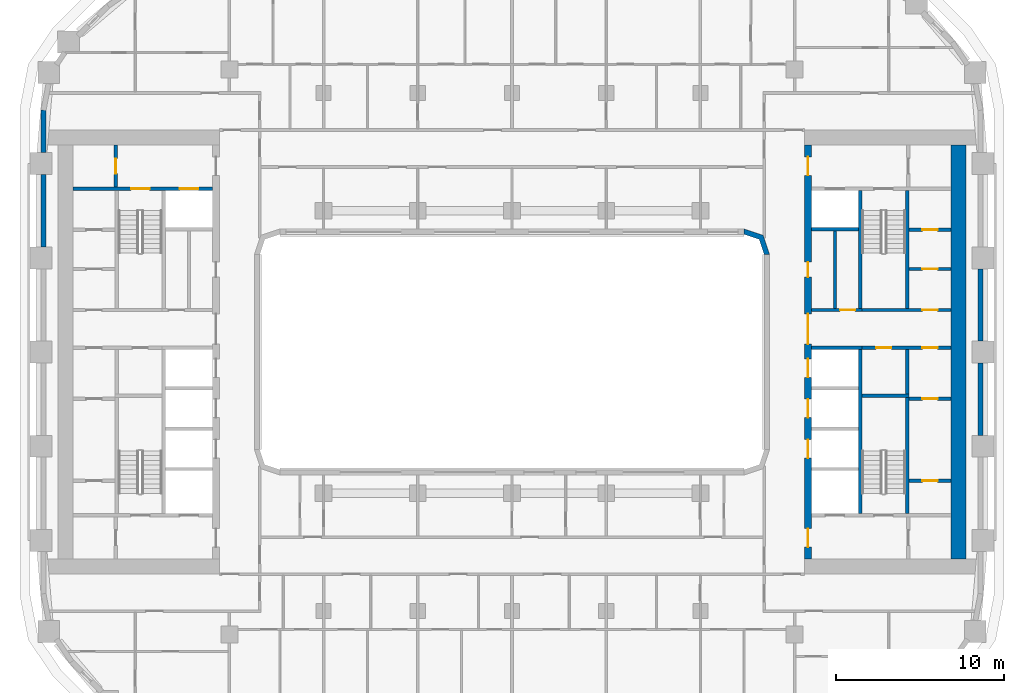
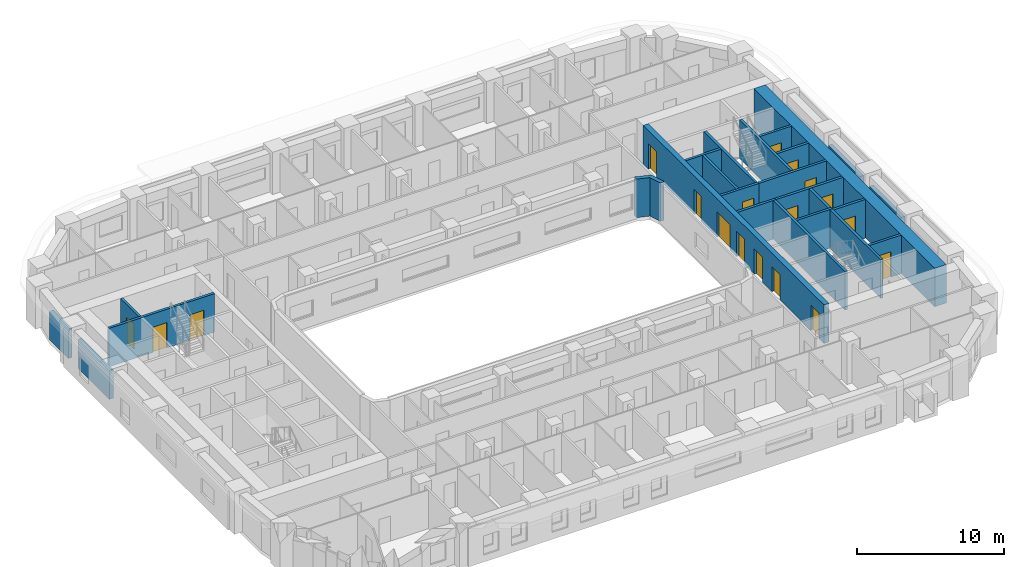
# One storey, part 7 of 23: 25 walls, 18 doors, 18 openings.
"""IFC4 building model written with IfcOpenShell, lengths in metres."""

from ifc_helpers import new_model, si_unit, direction, frame, frame_2d, origin, place, context, subcontext, project, spatial, polyline, rectangle, outline, extrude, material, layer, layer_set, type_object, element, fill, save


model = new_model("IFC4")

# Units and contexts
model_context = context("Model", 3, precision=1e-05, world=origin(), true_north=direction((0.0, 1.0)))
body_context = subcontext(model_context, "Body", "Model", "MODEL_VIEW")
ifc_project = project(units=[si_unit("LENGTHUNIT", "METRE"), si_unit("AREAUNIT", "SQUARE_METRE"), si_unit("VOLUMEUNIT", "CUBIC_METRE"), si_unit("PLANEANGLEUNIT", "RADIAN"), si_unit("MASSUNIT", "GRAM", prefix="KILO")], contexts=[model_context])

# Site, building, storey
site_placement = place(None, origin())
site = spatial("IfcSite", under=ifc_project, at=site_placement, CompositionType="ELEMENT")
building_placement = place(site_placement, origin())
building = spatial("IfcBuilding", under=site, at=building_placement, Name="Kiln Ring Residences", CompositionType="ELEMENT")
storey_placement = place(building_placement, frame((0.0, 0.0, 86.800048828125)))
storey = spatial("IfcBuildingStorey", under=building, at=storey_placement, Name="L21", CompositionType="ELEMENT", Elevation=86.800048828125)

# Wall, opening, door
ifc_material_1 = material(Name="Gypsum board on steel studs", Category="steel")
ifc_layer_1 = layer(ifc_material_1, 0.199951171875)
ifc_layer_set_1 = layer_set([ifc_layer_1], Name="CORE-PARTITION-200")
wall_type_1 = type_object("IfcWallType", Name="CORE-PARTITION-200", PredefinedType="PARTITIONING", material=ifc_layer_set_1)
wall_1_placement = place(storey_placement, frame((-23.550048828125, 9.800048828125, 0.0), z_axis=(0.0, 0.0, 1.0), x_axis=(0.0, 1.0, 0.0)))
wall_1 = element("IfcWall", 1, at=wall_1_placement, inside=storey, type_object=wall_type_1, Name="Core partition west L21 4", PredefinedType="PARTITIONING", context=body_context, shape_type="SweptSolid", body=[
    extrude(rectangle(XDim=2.5, YDim=0.199951171875, at=frame_2d((1.25, 0.0))), origin(), (0.0, 0.0, 1.0), 3.199951171875),
])
opening_1_placement = place(wall_1_placement, frame((0.800048828125, 0.0, 0.0)))
opening_1 = element("IfcOpeningElement", 2, at=opening_1_placement, cuts=wall_1, Name="Opening L21-CW10", PredefinedType="OPENING", context=body_context, shape_type="SweptSolid", body=[
    extrude(rectangle(XDim=0.89990234375, YDim=2.10009765625, at=frame_2d((0.449951171875, 1.050048828125))), frame((0.0, 0.10986328125, 0.0), z_axis=(0.0, -1.0, 0.0), x_axis=(1.0, 0.0, 0.0)), (0.0, 0.0, 1.0), 0.219970703125),
])
ifc_material_2 = material(Name="Steel door leaf", Category="steel")
door_type_1 = type_object("IfcDoorType", Name="CORE-DOOR-ROOM", OperationType="SINGLE_SWING_LEFT", PredefinedType="DOOR", material=ifc_material_2)
door_1_placement = place(opening_1_placement, origin())
door_1 = element("IfcDoor", 3, at=door_1_placement, inside=storey, type_object=door_type_1, Name="Fire riser room L21-CW10", OperationType="SINGLE_SWING_RIGHT", OverallHeight=2.10009765625, OverallWidth=0.89990234375, PredefinedType="DOOR", context=body_context, shape_type="SweptSolid", body=[
    extrude(rectangle(XDim=0.89990234375, YDim=2.10009765625, at=frame_2d((0.449951171875, 1.050048828125))), frame((0.0, 0.02490234375, 0.0), z_axis=(0.0, -1.0, 0.0), x_axis=(1.0, 0.0, 0.0)), (0.0, 0.0, 1.0), 0.050048828125),
])
fill(opening_1, door_1)

# Wall
wall_2_placement = place(storey_placement, frame((23.5, -2.5, 0.0), z_axis=(0.0, 0.0, 1.0), x_axis=(0.0, 1.0, 0.0)))
element("IfcWall", 4, at=wall_2_placement, inside=storey, type_object=wall_type_1, Name="Core partition east L21 1", PredefinedType="PARTITIONING", context=body_context, shape_type="SweptSolid", body=[
    extrude(rectangle(XDim=2.64990234375, YDim=0.199951171875, at=frame_2d((1.324951171875, 0.0))), origin(), (0.0, 0.0, 1.0), 3.199951171875),
])

# Wall, openings, doors
wall_3_placement = place(storey_placement, frame((20.800048828125, 0.25, 0.0), z_axis=(0.0, 0.0, 1.0), x_axis=(1.0, 0.0, 0.0)))
wall_3 = element("IfcWall", 5, at=wall_3_placement, inside=storey, type_object=wall_type_1, Name="Core partition east L21 2", PredefinedType="PARTITIONING", context=body_context, shape_type="SweptSolid", body=[
    extrude(rectangle(XDim=5.300048828125, YDim=0.199951171875, at=frame_2d((2.64990234375, 0.0))), origin(), (0.0, 0.0, 1.0), 3.199951171875),
])
opening_2_placement = place(wall_3_placement, frame((0.85009765625, 0.0, 0.0)))
opening_2 = element("IfcOpeningElement", 6, at=opening_2_placement, cuts=wall_3, Name="Opening L21-CE15", PredefinedType="OPENING", context=body_context, shape_type="SweptSolid", body=[
    extrude(rectangle(XDim=0.89990234375, YDim=2.10009765625, at=frame_2d((0.449951171875, 1.050048828125))), frame((0.0, 0.10986328125, 0.0), z_axis=(0.0, -1.0, 0.0), x_axis=(1.0, 0.0, 0.0)), (0.0, 0.0, 1.0), 0.219970703125),
])
opening_3_placement = place(wall_3_placement, frame((3.60009765625, 0.0, 0.0)))
opening_3 = element("IfcOpeningElement", 7, at=opening_3_placement, cuts=wall_3, Name="Opening L21-CE18", PredefinedType="OPENING", context=body_context, shape_type="SweptSolid", body=[
    extrude(rectangle(XDim=0.89990234375, YDim=2.10009765625, at=frame_2d((0.449951171875, 1.050048828125))), frame((0.0, 0.10986328125, 0.0), z_axis=(0.0, -1.0, 0.0), x_axis=(1.0, 0.0, 0.0)), (0.0, 0.0, 1.0), 0.219970703125),
])
door_2_placement = place(opening_2_placement, origin())
door_2 = element("IfcDoor", 8, at=door_2_placement, inside=storey, type_object=door_type_1, Name="Cleaner's store L21-CE15", OperationType="SINGLE_SWING_RIGHT", OverallHeight=2.10009765625, OverallWidth=0.89990234375, PredefinedType="DOOR", context=body_context, shape_type="SweptSolid", body=[
    extrude(rectangle(XDim=0.89990234375, YDim=2.10009765625, at=frame_2d((0.449951171875, 1.050048828125))), frame((0.0, 0.02490234375, 0.0), z_axis=(0.0, -1.0, 0.0), x_axis=(1.0, 0.0, 0.0)), (0.0, 0.0, 1.0), 0.050048828125),
])
fill(opening_2, door_2)
door_3_placement = place(opening_3_placement, origin())
door_3 = element("IfcDoor", 9, at=door_3_placement, inside=storey, type_object=door_type_1, Name="Battery room L21-CE18", OperationType="SINGLE_SWING_LEFT", OverallHeight=2.10009765625, OverallWidth=0.89990234375, PredefinedType="DOOR", context=body_context, shape_type="SweptSolid", body=[
    extrude(rectangle(XDim=0.89990234375, YDim=2.10009765625, at=frame_2d((0.449951171875, 1.050048828125))), frame((0.0, 0.02490234375, 0.0), z_axis=(0.0, -1.0, 0.0), x_axis=(1.0, 0.0, 0.0)), (0.0, 0.0, 1.0), 0.050048828125),
])
fill(opening_3, door_3)

# Wall
wall_4_placement = place(storey_placement, frame((19.199951171875, 2.60009765625, 0.0), z_axis=(0.0, 0.0, 1.0), x_axis=(0.0, 1.0, 0.0)))
element("IfcWall", 10, at=wall_4_placement, inside=storey, type_object=wall_type_1, Name="Core partition east L21 3", PredefinedType="PARTITIONING", context=body_context, shape_type="SweptSolid", body=[
    extrude(rectangle(XDim=4.599853515625, YDim=0.199951171875, at=frame_2d((2.2998046875, 0.0))), origin(), (0.0, 0.0, 1.0), 3.199951171875),
])

# Wall, opening, door
wall_5_placement = place(storey_placement, frame((23.60009765625, -7.64990234375, 0.0), z_axis=(0.0, 0.0, 1.0), x_axis=(1.0, 0.0, 0.0)))
wall_5 = element("IfcWall", 11, at=wall_5_placement, inside=storey, type_object=wall_type_1, Name="Core partition east L21 6", PredefinedType="PARTITIONING", context=body_context, shape_type="SweptSolid", body=[
    extrude(rectangle(XDim=2.5, YDim=0.199951171875, at=frame_2d((1.25, 0.0))), origin(), (0.0, 0.0, 1.0), 3.199951171875),
])
opening_4_placement = place(wall_5_placement, frame((0.800048828125, 0.0, 0.0)))
opening_4 = element("IfcOpeningElement", 12, at=opening_4_placement, cuts=wall_5, Name="Opening L21-CE16", PredefinedType="OPENING", context=body_context, shape_type="SweptSolid", body=[
    extrude(rectangle(XDim=0.89990234375, YDim=2.10009765625, at=frame_2d((0.449951171875, 1.050048828125))), frame((0.0, 0.10986328125, 0.0), z_axis=(0.0, -1.0, 0.0), x_axis=(1.0, 0.0, 0.0)), (0.0, 0.0, 1.0), 0.219970703125),
])
door_4_placement = place(opening_4_placement, origin())
door_4 = element("IfcDoor", 13, at=door_4_placement, inside=storey, type_object=door_type_1, Name="Plant room L21-CE16", OperationType="SINGLE_SWING_RIGHT", OverallHeight=2.10009765625, OverallWidth=0.89990234375, PredefinedType="DOOR", context=body_context, shape_type="SweptSolid", body=[
    extrude(rectangle(XDim=0.89990234375, YDim=2.10009765625, at=frame_2d((0.449951171875, 1.050048828125))), frame((0.0, 0.02490234375, 0.0), z_axis=(0.0, -1.0, 0.0), x_axis=(1.0, 0.0, 0.0)), (0.0, 0.0, 1.0), 0.050048828125),
])
fill(opening_4, door_4)

wall_6_placement = place(storey_placement, frame((23.60009765625, -2.77490234375, 0.0), z_axis=(0.0, 0.0, 1.0), x_axis=(1.0, 0.0, 0.0)))
wall_6 = element("IfcWall", 14, at=wall_6_placement, inside=storey, type_object=wall_type_1, Name="Core partition east L21 7", PredefinedType="PARTITIONING", context=body_context, shape_type="SweptSolid", body=[
    extrude(rectangle(XDim=2.5, YDim=0.199951171875, at=frame_2d((1.25, 0.0))), origin(), (0.0, 0.0, 1.0), 3.199951171875),
])
opening_5_placement = place(wall_6_placement, frame((0.800048828125, 0.0, 0.0)))
opening_5 = element("IfcOpeningElement", 15, at=opening_5_placement, cuts=wall_6, Name="Opening L21-CE17", PredefinedType="OPENING", context=body_context, shape_type="SweptSolid", body=[
    extrude(rectangle(XDim=0.89990234375, YDim=2.10009765625, at=frame_2d((0.449951171875, 1.050048828125))), frame((0.0, 0.10986328125, 0.0), z_axis=(0.0, -1.0, 0.0), x_axis=(1.0, 0.0, 0.0)), (0.0, 0.0, 1.0), 0.219970703125),
])
door_5_placement = place(opening_5_placement, origin())
door_5 = element("IfcDoor", 16, at=door_5_placement, inside=storey, type_object=door_type_1, Name="Battery room L21-CE17", OperationType="SINGLE_SWING_LEFT", OverallHeight=2.10009765625, OverallWidth=0.89990234375, PredefinedType="DOOR", context=body_context, shape_type="SweptSolid", body=[
    extrude(rectangle(XDim=0.89990234375, YDim=2.10009765625, at=frame_2d((0.449951171875, 1.050048828125))), frame((0.0, 0.02490234375, 0.0), z_axis=(0.0, -1.0, 0.0), x_axis=(1.0, 0.0, 0.0)), (0.0, 0.0, 1.0), 0.050048828125),
])
fill(opening_5, door_5)

wall_7_placement = place(storey_placement, frame((23.60009765625, 4.933349609375, 0.0), z_axis=(0.0, 0.0, 1.0), x_axis=(1.0, 0.0, 0.0)))
wall_7 = element("IfcWall", 17, at=wall_7_placement, inside=storey, type_object=wall_type_1, Name="Core partition east L21 8", PredefinedType="PARTITIONING", context=body_context, shape_type="SweptSolid", body=[
    extrude(rectangle(XDim=2.5, YDim=0.199951171875, at=frame_2d((1.25, 0.0))), origin(), (0.0, 0.0, 1.0), 3.199951171875),
])
opening_6_placement = place(wall_7_placement, frame((0.800048828125, 0.0, 0.0)))
opening_6 = element("IfcOpeningElement", 18, at=opening_6_placement, cuts=wall_7, Name="Opening L21-CE19", PredefinedType="OPENING", context=body_context, shape_type="SweptSolid", body=[
    extrude(rectangle(XDim=0.89990234375, YDim=2.10009765625, at=frame_2d((0.449951171875, 1.050048828125))), frame((0.0, 0.10986328125, 0.0), z_axis=(0.0, -1.0, 0.0), x_axis=(1.0, 0.0, 0.0)), (0.0, 0.0, 1.0), 0.219970703125),
])
door_6_placement = place(opening_6_placement, origin())
door_6 = element("IfcDoor", 19, at=door_6_placement, inside=storey, type_object=door_type_1, Name="Electrical plant room L21-CE19", OperationType="SINGLE_SWING_LEFT", OverallHeight=2.10009765625, OverallWidth=0.89990234375, PredefinedType="DOOR", context=body_context, shape_type="SweptSolid", body=[
    extrude(rectangle(XDim=0.89990234375, YDim=2.10009765625, at=frame_2d((0.449951171875, 1.050048828125))), frame((0.0, 0.02490234375, 0.0), z_axis=(0.0, -1.0, 0.0), x_axis=(1.0, 0.0, 0.0)), (0.0, 0.0, 1.0), 0.050048828125),
])
fill(opening_6, door_6)

wall_8_placement = place(storey_placement, frame((23.60009765625, 7.2666015625, 0.0), z_axis=(0.0, 0.0, 1.0), x_axis=(1.0, 0.0, 0.0)))
wall_8 = element("IfcWall", 20, at=wall_8_placement, inside=storey, type_object=wall_type_1, Name="Core partition east L21 9", PredefinedType="PARTITIONING", context=body_context, shape_type="SweptSolid", body=[
    extrude(rectangle(XDim=2.5, YDim=0.199951171875, at=frame_2d((1.25, 0.0))), origin(), (0.0, 0.0, 1.0), 3.199951171875),
])
opening_7_placement = place(wall_8_placement, frame((0.800048828125, 0.0, 0.0)))
opening_7 = element("IfcOpeningElement", 21, at=opening_7_placement, cuts=wall_8, Name="Opening L21-CE20", PredefinedType="OPENING", context=body_context, shape_type="SweptSolid", body=[
    extrude(rectangle(XDim=0.89990234375, YDim=2.10009765625, at=frame_2d((0.449951171875, 1.050048828125))), frame((0.0, 0.10986328125, 0.0), z_axis=(0.0, -1.0, 0.0), x_axis=(1.0, 0.0, 0.0)), (0.0, 0.0, 1.0), 0.219970703125),
])
door_7_placement = place(opening_7_placement, origin())
door_7 = element("IfcDoor", 22, at=door_7_placement, inside=storey, type_object=door_type_1, Name="Comms room L21-CE20", OperationType="SINGLE_SWING_RIGHT", OverallHeight=2.10009765625, OverallWidth=0.89990234375, PredefinedType="DOOR", context=body_context, shape_type="SweptSolid", body=[
    extrude(rectangle(XDim=0.89990234375, YDim=2.10009765625, at=frame_2d((0.449951171875, 1.050048828125))), frame((0.0, 0.02490234375, 0.0), z_axis=(0.0, -1.0, 0.0), x_axis=(1.0, 0.0, 0.0)), (0.0, 0.0, 1.0), 0.050048828125),
])
fill(opening_7, door_7)

# Wall
ifc_material_3 = material(Name="Gypsum shaft wall system")
ifc_layer_2 = layer(ifc_material_3, 0.199951171875)
ifc_layer_set_2 = layer_set([ifc_layer_2], Name="CORE-SHAFT-WALL-200")
wall_type_2 = type_object("IfcWallType", Name="CORE-SHAFT-WALL-200", PredefinedType="PARTITIONING", material=ifc_layer_set_2)
wall_9_placement = place(storey_placement, frame((17.800048828125, 0.25, 0.0), z_axis=(0.0, 0.0, 1.0), x_axis=(1.0, 0.0, 0.0)))
element("IfcWall", 23, at=wall_9_placement, inside=storey, type_object=wall_type_2, Name="Core partition east L21 13", PredefinedType="PARTITIONING", context=body_context, shape_type="SweptSolid", body=[
    extrude(rectangle(XDim=3.0, YDim=0.199951171875, at=frame_2d((1.5, 0.0))), origin(), (0.0, 0.0, 1.0), 3.199951171875),
])

# Wall, opening, door
wall_10_placement = place(storey_placement, frame((17.800048828125, 2.5, 0.0), z_axis=(0.0, 0.0, 1.0), x_axis=(1.0, 0.0, 0.0)))
wall_10 = element("IfcWall", 24, at=wall_10_placement, inside=storey, type_object=wall_type_2, Name="Core partition east L21 14", PredefinedType="PARTITIONING", context=body_context, shape_type="SweptSolid", body=[
    extrude(rectangle(XDim=3.0, YDim=0.199951171875, at=frame_2d((1.5, 0.0))), origin(), (0.0, 0.0, 1.0), 3.199951171875),
])
opening_8_placement = place(wall_10_placement, frame((1.699951171875, 0.0, 0.0)))
opening_8 = element("IfcOpeningElement", 25, at=opening_8_placement, cuts=wall_10, Name="Opening L21-CE06", PredefinedType="OPENING", context=body_context, shape_type="SweptSolid", body=[
    extrude(rectangle(XDim=0.89990234375, YDim=2.10009765625, at=frame_2d((0.449951171875, 1.050048828125))), frame((0.0, 0.10986328125, 0.0), z_axis=(0.0, -1.0, 0.0), x_axis=(1.0, 0.0, 0.0)), (0.0, 0.0, 1.0), 0.219970703125),
])
door_8_placement = place(opening_8_placement, origin())
door_8 = element("IfcDoor", 26, at=door_8_placement, inside=storey, type_object=door_type_1, Name="Cleaner's store L21-CE06", OperationType="SINGLE_SWING_RIGHT", OverallHeight=2.10009765625, OverallWidth=0.89990234375, PredefinedType="DOOR", context=body_context, shape_type="SweptSolid", body=[
    extrude(rectangle(XDim=0.89990234375, YDim=2.10009765625, at=frame_2d((0.449951171875, 1.050048828125))), frame((0.0, 0.02490234375, 0.0), z_axis=(0.0, -1.0, 0.0), x_axis=(1.0, 0.0, 0.0)), (0.0, 0.0, 1.0), 0.050048828125),
])
fill(opening_8, door_8)

# Wall
wall_11_placement = place(storey_placement, frame((17.800048828125, 7.300048828125, 0.0), z_axis=(0.0, 0.0, 1.0), x_axis=(1.0, 0.0, 0.0)))
element("IfcWall", 27, at=wall_11_placement, inside=storey, type_object=wall_type_2, Name="Core partition east L21 15", PredefinedType="PARTITIONING", context=body_context, shape_type="SweptSolid", body=[
    extrude(rectangle(XDim=2.800048828125, YDim=0.199951171875, at=frame_2d((1.39990234375, 0.0))), origin(), (0.0, 0.0, 1.0), 3.199951171875),
])

# Wall, openings, doors
ifc_material_4 = material(Name="Concrete C40/50", Category="concrete")
ifc_layer_3 = layer(ifc_material_4, 0.199951171875)
ifc_layer_set_3 = layer_set([ifc_layer_3], Name="CORE-WALL-RC200")
wall_type_3 = type_object("IfcWallType", Name="CORE-WALL-RC200", PredefinedType="SHEAR", material=ifc_layer_set_3)
wall_12_placement = place(storey_placement, frame((-17.800048828125, 9.699951171875, 0.0), z_axis=(0.0, 0.0, 1.0), x_axis=(-1.0, 0.0, 0.0)))
wall_12 = element("IfcWall", 28, at=wall_12_placement, inside=storey, type_object=wall_type_3, Name="Core wall west L21 9", PredefinedType="SHEAR", context=body_context, shape_type="SweptSolid", body=[
    extrude(rectangle(XDim=8.300048828125, YDim=0.199951171875, at=frame_2d((4.14990234375, 0.0))), origin(), (0.0, 0.0, 1.0), 3.199951171875),
])
opening_9_placement = place(wall_12_placement, frame((0.85009765625, 0.0, 0.0)))
opening_9 = element("IfcOpeningElement", 29, at=opening_9_placement, cuts=wall_12, Name="Opening L21-CW07", PredefinedType="OPENING", context=body_context, shape_type="SweptSolid", body=[
    extrude(rectangle(XDim=1.10009765625, YDim=2.10009765625, at=frame_2d((0.550048828125, 1.050048828125))), frame((0.0, 0.10986328125, 0.0), z_axis=(0.0, -1.0, 0.0), x_axis=(1.0, 0.0, 0.0)), (0.0, 0.0, 1.0), 0.219970703125),
])
opening_10_placement = place(wall_12_placement, frame((3.75, 0.0, 0.0)))
opening_10 = element("IfcOpeningElement", 30, at=opening_10_placement, cuts=wall_12, Name="Opening L21-CW12", PredefinedType="OPENING", context=body_context, shape_type="SweptSolid", body=[
    extrude(rectangle(XDim=1.10009765625, YDim=2.10009765625, at=frame_2d((0.550048828125, 1.050048828125))), frame((0.0, 0.10986328125, 0.0), z_axis=(0.0, -1.0, 0.0), x_axis=(1.0, 0.0, 0.0)), (0.0, 0.0, 1.0), 0.219970703125),
])
ifc_material_5 = material(Name="Steel door leaf", Category="steel")
door_type_2 = type_object("IfcDoorType", Name="CORE-DOOR-LD", OperationType="DOUBLE_DOOR_SLIDING", PredefinedType="DOOR", material=ifc_material_5)
door_9_placement = place(opening_9_placement, origin())
door_9 = element("IfcDoor", 31, at=door_9_placement, inside=storey, type_object=door_type_2, Name="LD W-FF L21-CW07", OperationType="DOUBLE_DOOR_SLIDING", OverallHeight=2.10009765625, OverallWidth=1.10009765625, PredefinedType="DOOR", context=body_context, shape_type="SweptSolid", body=[
    extrude(rectangle(XDim=1.10009765625, YDim=2.10009765625, at=frame_2d((0.550048828125, 1.050048828125))), frame((0.0, 0.02490234375, 0.0), z_axis=(0.0, -1.0, 0.0), x_axis=(1.0, 0.0, 0.0)), (0.0, 0.0, 1.0), 0.050048828125),
])
fill(opening_9, door_9)
ifc_material_6 = material(Name="Steel door leaf", Category="steel")
door_type_3 = type_object("IfcDoorType", Name="CORE-DOOR-STAIR", OperationType="SINGLE_SWING_LEFT", PredefinedType="DOOR", material=ifc_material_6)
door_10_placement = place(opening_10_placement, origin())
door_10 = element("IfcDoor", 32, at=door_10_placement, inside=storey, type_object=door_type_3, Name="Stair W-STN L21-CW12", OperationType="SINGLE_SWING_RIGHT", OverallHeight=2.10009765625, OverallWidth=1.10009765625, PredefinedType="DOOR", context=body_context, shape_type="SweptSolid", body=[
    extrude(rectangle(XDim=1.10009765625, YDim=2.10009765625, at=frame_2d((0.550048828125, 1.050048828125))), frame((0.0, 0.02490234375, 0.0), z_axis=(0.0, -1.0, 0.0), x_axis=(1.0, 0.0, 0.0)), (0.0, 0.0, 1.0), 0.050048828125),
])
fill(opening_10, door_10)

# Walls
wall_13_placement = place(storey_placement, frame((20.699951171875, 2.60009765625, 0.0), z_axis=(0.0, 0.0, 1.0), x_axis=(0.0, 1.0, 0.0)))
element("IfcWall", 33, at=wall_13_placement, inside=storey, type_object=wall_type_3, Name="Core wall east L21 1", PredefinedType="SHEAR", context=body_context, shape_type="SweptSolid", body=[
    extrude(rectangle(XDim=7.0, YDim=0.199951171875, at=frame_2d((3.5, 0.0))), origin(), (0.0, 0.0, 1.0), 3.199951171875),
])
wall_14_placement = place(storey_placement, frame((20.699951171875, -9.60009765625, 0.0), z_axis=(0.0, 0.0, 1.0), x_axis=(0.0, 1.0, 0.0)))
element("IfcWall", 34, at=wall_14_placement, inside=storey, type_object=wall_type_3, Name="Core wall east L21 2", PredefinedType="SHEAR", context=body_context, shape_type="SweptSolid", body=[
    extrude(rectangle(XDim=9.75, YDim=0.199951171875, at=frame_2d((4.875, 0.0))), origin(), (0.0, 0.0, 1.0), 3.199951171875),
])

# Wall, opening, door
wall_15_placement = place(storey_placement, frame((20.800048828125, 2.5, 0.0), z_axis=(0.0, 0.0, 1.0), x_axis=(1.0, 0.0, 0.0)))
wall_15 = element("IfcWall", 35, at=wall_15_placement, inside=storey, type_object=wall_type_3, Name="Core wall east L21 3", PredefinedType="SHEAR", context=body_context, shape_type="SweptSolid", body=[
    extrude(rectangle(XDim=5.300048828125, YDim=0.199951171875, at=frame_2d((2.64990234375, 0.0))), origin(), (0.0, 0.0, 1.0), 3.199951171875),
])
opening_11_placement = place(wall_15_placement, frame((3.60009765625, 0.0, 0.0)))
opening_11 = element("IfcOpeningElement", 36, at=opening_11_placement, cuts=wall_15, Name="Opening L21-CE21", PredefinedType="OPENING", context=body_context, shape_type="SweptSolid", body=[
    extrude(rectangle(XDim=0.89990234375, YDim=2.10009765625, at=frame_2d((0.449951171875, 1.050048828125))), frame((0.0, 0.10986328125, 0.0), z_axis=(0.0, -1.0, 0.0), x_axis=(1.0, 0.0, 0.0)), (0.0, 0.0, 1.0), 0.219970703125),
])
door_11_placement = place(opening_11_placement, origin())
door_11 = element("IfcDoor", 37, at=door_11_placement, inside=storey, type_object=door_type_1, Name="UPS room L21-CE21", OperationType="SINGLE_SWING_LEFT", OverallHeight=2.10009765625, OverallWidth=0.89990234375, PredefinedType="DOOR", context=body_context, shape_type="SweptSolid", body=[
    extrude(rectangle(XDim=0.89990234375, YDim=2.10009765625, at=frame_2d((0.449951171875, 1.050048828125))), frame((0.0, 0.02490234375, 0.0), z_axis=(0.0, -1.0, 0.0), x_axis=(1.0, 0.0, 0.0)), (0.0, 0.0, 1.0), 0.050048828125),
])
fill(opening_11, door_11)

# Walls
wall_16_placement = place(storey_placement, frame((23.5, 2.60009765625, 0.0), z_axis=(0.0, 0.0, 1.0), x_axis=(0.0, 1.0, 0.0)))
element("IfcWall", 38, at=wall_16_placement, inside=storey, type_object=wall_type_3, Name="Core wall east L21 10", PredefinedType="SHEAR", context=body_context, shape_type="SweptSolid", body=[
    extrude(rectangle(XDim=7.0, YDim=0.199951171875, at=frame_2d((3.5, 0.0))), origin(), (0.0, 0.0, 1.0), 3.199951171875),
])
wall_17_placement = place(storey_placement, frame((23.5, -9.60009765625, 0.0), z_axis=(0.0, 0.0, 1.0), x_axis=(0.0, 1.0, 0.0)))
element("IfcWall", 39, at=wall_17_placement, inside=storey, type_object=wall_type_3, Name="Core wall east L21 11", PredefinedType="SHEAR", context=body_context, shape_type="SweptSolid", body=[
    extrude(rectangle(XDim=6.900146484375, YDim=0.199951171875, at=frame_2d((3.4501953125, 0.0))), origin(), (0.0, 0.0, 1.0), 3.199951171875),
])
wall_18_placement = place(storey_placement, frame((20.800048828125, -2.60009765625, 0.0), z_axis=(0.0, 0.0, 1.0), x_axis=(1.0, 0.0, 0.0)))
element("IfcWall", 40, at=wall_18_placement, inside=storey, type_object=wall_type_3, Name="Core wall east L21 12", PredefinedType="SHEAR", context=body_context, shape_type="SweptSolid", body=[
    extrude(rectangle(XDim=2.800048828125, YDim=0.199951171875, at=frame_2d((1.39990234375, 0.0))), origin(), (0.0, 0.0, 1.0), 3.199951171875),
])

# Wall, openings, doors
ifc_material_7 = material(Name="Concrete C60/75", Category="concrete")
ifc_layer_4 = layer(ifc_material_7, 0.39990234375)
ifc_layer_set_4 = layer_set([ifc_layer_4], Name="CORE-WALL-RC400")
wall_type_4 = type_object("IfcWallType", Name="CORE-WALL-RC400", PredefinedType="SHEAR", material=ifc_layer_set_4)
wall_19_placement = place(storey_placement, frame((17.60009765625, -12.300048828125, 0.0), z_axis=(0.0, 0.0, 1.0), x_axis=(0.0, 1.0, 0.0)))
wall_19 = element("IfcWall", 41, at=wall_19_placement, inside=storey, type_object=wall_type_4, Name="Core wall east L21 6", PredefinedType="SHEAR", context=body_context, shape_type="SweptSolid", body=[
    extrude(rectangle(XDim=24.60009765625, YDim=0.39990234375, at=frame_2d((12.300048828125, 0.0))), origin(), (0.0, 0.0, 1.0), 3.199951171875),
])
opening_12_placement = place(wall_19_placement, frame((6.0, 0.0, 0.0)))
opening_12 = element("IfcOpeningElement", 42, at=opening_12_placement, cuts=wall_19, Name="Opening L21-CE02", PredefinedType="OPENING", context=body_context, shape_type="SweptSolid", body=[
    extrude(rectangle(XDim=1.10009765625, YDim=2.10009765625, at=frame_2d((0.550048828125, 1.050048828125))), frame((0.0, 0.2099609375, 0.0), z_axis=(0.0, -1.0, 0.0), x_axis=(1.0, 0.0, 0.0)), (0.0, 0.0, 1.0), 0.419921875),
])
opening_13_placement = place(wall_19_placement, frame((8.39990234375, 0.0, 0.0)))
opening_13 = element("IfcOpeningElement", 43, at=opening_13_placement, cuts=wall_19, Name="Opening L21-CE03", PredefinedType="OPENING", context=body_context, shape_type="SweptSolid", body=[
    extrude(rectangle(XDim=1.10009765625, YDim=2.10009765625, at=frame_2d((0.550048828125, 1.050048828125))), frame((0.0, 0.2099609375, 0.0), z_axis=(0.0, -1.0, 0.0), x_axis=(1.0, 0.0, 0.0)), (0.0, 0.0, 1.0), 0.419921875),
])
opening_14_placement = place(wall_19_placement, frame((10.800048828125, 0.0, 0.0)))
opening_14 = element("IfcOpeningElement", 44, at=opening_14_placement, cuts=wall_19, Name="Opening L21-CE04", PredefinedType="OPENING", context=body_context, shape_type="SweptSolid", body=[
    extrude(rectangle(XDim=1.10009765625, YDim=2.10009765625, at=frame_2d((0.550048828125, 1.050048828125))), frame((0.0, 0.2099609375, 0.0), z_axis=(0.0, -1.0, 0.0), x_axis=(1.0, 0.0, 0.0)), (0.0, 0.0, 1.0), 0.419921875),
])
opening_15_placement = place(wall_19_placement, frame((16.75, 0.0, 0.0)))
opening_15 = element("IfcOpeningElement", 45, at=opening_15_placement, cuts=wall_19, Name="Opening L21-CE05", PredefinedType="OPENING", context=body_context, shape_type="SweptSolid", body=[
    extrude(rectangle(XDim=0.89990234375, YDim=2.10009765625, at=frame_2d((0.449951171875, 1.050048828125))), frame((0.0, 0.2099609375, 0.0), z_axis=(0.0, -1.0, 0.0), x_axis=(1.0, 0.0, 0.0)), (0.0, 0.0, 1.0), 0.419921875),
])
opening_16_placement = place(wall_19_placement, frame((22.800048828125, 0.0, 0.0)))
opening_16 = element("IfcOpeningElement", 46, at=opening_16_placement, cuts=wall_19, Name="Opening L21-CE08", PredefinedType="OPENING", context=body_context, shape_type="SweptSolid", body=[
    extrude(rectangle(XDim=1.10009765625, YDim=2.10009765625, at=frame_2d((0.550048828125, 1.050048828125))), frame((0.0, 0.2099609375, 0.0), z_axis=(0.0, -1.0, 0.0), x_axis=(1.0, 0.0, 0.0)), (0.0, 0.0, 1.0), 0.419921875),
])
opening_17_placement = place(wall_19_placement, frame((0.699951171875, 0.0, 0.0)))
opening_17 = element("IfcOpeningElement", 47, at=opening_17_placement, cuts=wall_19, Name="Opening L21-CE09", PredefinedType="OPENING", context=body_context, shape_type="SweptSolid", body=[
    extrude(rectangle(XDim=1.10009765625, YDim=2.10009765625, at=frame_2d((0.550048828125, 1.050048828125))), frame((0.0, 0.2099609375, 0.0), z_axis=(0.0, -1.0, 0.0), x_axis=(1.0, 0.0, 0.0)), (0.0, 0.0, 1.0), 0.419921875),
])
opening_18_placement = place(wall_19_placement, frame((12.77490234375, 0.0, 0.0)))
opening_18 = element("IfcOpeningElement", 48, at=opening_18_placement, cuts=wall_19, Name="Opening L21-CE14", PredefinedType="OPENING", context=body_context, shape_type="SweptSolid", body=[
    extrude(rectangle(XDim=1.800048828125, YDim=2.10009765625, at=frame_2d((0.89990234375, 1.050048828125))), frame((0.0, 0.2099609375, 0.0), z_axis=(0.0, -1.0, 0.0), x_axis=(1.0, 0.0, 0.0)), (0.0, 0.0, 1.0), 0.419921875),
])
door_12_placement = place(opening_12_placement, origin())
door_12 = element("IfcDoor", 49, at=door_12_placement, inside=storey, type_object=door_type_2, Name="LD E-L1 L21-CE02", OperationType="DOUBLE_DOOR_SLIDING", OverallHeight=2.10009765625, OverallWidth=1.10009765625, PredefinedType="DOOR", context=body_context, shape_type="SweptSolid", body=[
    extrude(rectangle(XDim=1.10009765625, YDim=2.10009765625, at=frame_2d((0.550048828125, 1.050048828125))), frame((0.0, 0.02490234375, 0.0), z_axis=(0.0, -1.0, 0.0), x_axis=(1.0, 0.0, 0.0)), (0.0, 0.0, 1.0), 0.050048828125),
])
fill(opening_12, door_12)
door_13_placement = place(opening_13_placement, origin())
door_13 = element("IfcDoor", 50, at=door_13_placement, inside=storey, type_object=door_type_2, Name="LD E-L2 L21-CE03", OperationType="DOUBLE_DOOR_SLIDING", OverallHeight=2.10009765625, OverallWidth=1.10009765625, PredefinedType="DOOR", context=body_context, shape_type="SweptSolid", body=[
    extrude(rectangle(XDim=1.10009765625, YDim=2.10009765625, at=frame_2d((0.550048828125, 1.050048828125))), frame((0.0, 0.02490234375, 0.0), z_axis=(0.0, -1.0, 0.0), x_axis=(1.0, 0.0, 0.0)), (0.0, 0.0, 1.0), 0.050048828125),
])
fill(opening_13, door_13)
door_14_placement = place(opening_14_placement, origin())
door_14 = element("IfcDoor", 51, at=door_14_placement, inside=storey, type_object=door_type_2, Name="LD E-L3 L21-CE04", OperationType="DOUBLE_DOOR_SLIDING", OverallHeight=2.10009765625, OverallWidth=1.10009765625, PredefinedType="DOOR", context=body_context, shape_type="SweptSolid", body=[
    extrude(rectangle(XDim=1.10009765625, YDim=2.10009765625, at=frame_2d((0.550048828125, 1.050048828125))), frame((0.0, 0.02490234375, 0.0), z_axis=(0.0, -1.0, 0.0), x_axis=(1.0, 0.0, 0.0)), (0.0, 0.0, 1.0), 0.050048828125),
])
fill(opening_14, door_14)
ifc_material_8 = material(Name="Steel door leaf", Category="steel")
door_type_4 = type_object("IfcDoorType", Name="CORE-DOOR-LOBBY", OperationType="SINGLE_SWING_LEFT", PredefinedType="DOOR", material=ifc_material_8)
door_15_placement = place(opening_16_placement, origin())
door_15 = element("IfcDoor", 52, at=door_15_placement, inside=storey, type_object=door_type_4, Name="FFL L21-CE08", OperationType="SINGLE_SWING_RIGHT", OverallHeight=2.10009765625, OverallWidth=1.10009765625, PredefinedType="DOOR", context=body_context, shape_type="SweptSolid", body=[
    extrude(rectangle(XDim=1.10009765625, YDim=2.10009765625, at=frame_2d((0.550048828125, 1.050048828125))), frame((0.0, 0.02490234375, 0.0), z_axis=(0.0, -1.0, 0.0), x_axis=(1.0, 0.0, 0.0)), (0.0, 0.0, 1.0), 0.050048828125),
])
fill(opening_16, door_15)
door_16_placement = place(opening_17_placement, origin())
door_16 = element("IfcDoor", 53, at=door_16_placement, inside=storey, type_object=door_type_4, Name="SVL L21-CE09", OperationType="SINGLE_SWING_LEFT", OverallHeight=2.10009765625, OverallWidth=1.10009765625, PredefinedType="DOOR", context=body_context, shape_type="SweptSolid", body=[
    extrude(rectangle(XDim=1.10009765625, YDim=2.10009765625, at=frame_2d((0.550048828125, 1.050048828125))), frame((0.0, 0.02490234375, 0.0), z_axis=(0.0, -1.0, 0.0), x_axis=(1.0, 0.0, 0.0)), (0.0, 0.0, 1.0), 0.050048828125),
])
fill(opening_17, door_16)
ifc_material_9 = material(Name="Steel door leaf", Category="steel")
door_type_5 = type_object("IfcDoorType", Name="CORE-DOOR-PASS", OperationType="DOUBLE_DOOR_SINGLE_SWING", PredefinedType="DOOR", material=ifc_material_9)
door_17_placement = place(opening_18_placement, origin())
door_17 = element("IfcDoor", 54, at=door_17_placement, inside=storey, type_object=door_type_5, Name="Core passage L21-CE14", OperationType="DOUBLE_DOOR_SINGLE_SWING", OverallHeight=2.10009765625, OverallWidth=1.800048828125, PredefinedType="DOOR", context=body_context, shape_type="SweptSolid", body=[
    extrude(rectangle(XDim=1.800048828125, YDim=2.10009765625, at=frame_2d((0.89990234375, 1.050048828125))), frame((0.0, 0.02490234375, 0.0), z_axis=(0.0, -1.0, 0.0), x_axis=(1.0, 0.0, 0.0)), (0.0, 0.0, 1.0), 0.050048828125),
])
fill(opening_18, door_17)
door_18_placement = place(opening_15_placement, origin())
door_18 = element("IfcDoor", 55, at=door_18_placement, inside=storey, type_object=door_type_1, Name="Storage room L21-CE05", OperationType="SINGLE_SWING_RIGHT", OverallHeight=2.10009765625, OverallWidth=0.89990234375, PredefinedType="DOOR", context=body_context, shape_type="SweptSolid", body=[
    extrude(rectangle(XDim=0.89990234375, YDim=2.10009765625, at=frame_2d((0.449951171875, 1.050048828125))), frame((0.0, 0.02490234375, 0.0), z_axis=(0.0, -1.0, 0.0), x_axis=(1.0, 0.0, 0.0)), (0.0, 0.0, 1.0), 0.050048828125),
])
fill(opening_15, door_18)

# Walls
ifc_material_10 = material(Name="Concrete C60/75", Category="concrete")
ifc_layer_5 = layer(ifc_material_10, 0.89990234375)
ifc_layer_set_5 = layer_set([ifc_layer_5], Name="CORE-WALL-RC900")
wall_type_5 = type_object("IfcWallType", Name="CORE-WALL-RC900", PredefinedType="SHEAR", material=ifc_layer_set_5)
wall_20_placement = place(storey_placement, frame((26.550048828125, -12.300048828125, 0.0), z_axis=(0.0, 0.0, 1.0), x_axis=(0.0, 1.0, 0.0)))
element("IfcWall", 56, at=wall_20_placement, inside=storey, type_object=wall_type_5, Name="Core wall east L21 7", PredefinedType="SHEAR", context=body_context, shape_type="SweptSolid", body=[
    extrude(rectangle(XDim=24.60009765625, YDim=0.89990234375, at=frame_2d((12.300048828125, 0.0))), origin(), (0.0, 0.0, 1.0), 3.199951171875),
])
ifc_material_11 = material(Name="Brick masonry, dark clay brick", Category="masonry")
ifc_layer_6 = layer(ifc_material_11, 0.300048828125)
ifc_layer_set_6 = layer_set([ifc_layer_6], Name="EW-300 BRICK WALL")
wall_type_6 = type_object("IfcWallType", Name="EW-300 BRICK WALL", PredefinedType="SOLIDWALL", material=ifc_layer_set_6)
for number, where, z_axis, x_axis, name in (
    (57, (27.85009765625, -4.949951171875, 0.0), (0.0, 0.0, 1.0), (0.0, 1.0, 0.0), "Facade wall L21 19"),
    (58, (27.85009765625, 0.64990234375, 0.0), (0.0, 0.0, 1.0), (0.0, 1.0, 0.0), "Facade wall L21 20"),
):
    element("IfcWall", number, at=place(storey_placement, frame(where, z_axis=z_axis, x_axis=x_axis)), inside=storey, type_object=wall_type_6, Name=name, PredefinedType="SOLIDWALL", context=body_context, shape_type="SweptSolid", body=[
        extrude(rectangle(XDim=4.300048828125, YDim=0.300048828125, at=frame_2d((2.14990234375, 0.0))), origin(), (0.0, 0.0, 1.0), 2.39990234375),
    ])
wall_21_placement = place(storey_placement, frame((-27.85009765625, 14.39990234375, 0.0), z_axis=(0.0, 0.0, 1.0), x_axis=(0.0, -1.0, 0.0)))
element("IfcWall", 59, at=wall_21_placement, inside=storey, type_object=wall_type_6, Name="Facade wall L21 41", PredefinedType="SOLIDWALL", context=body_context, shape_type="SweptSolid", body=[
    extrude(rectangle(XDim=2.5498046875, YDim=0.300048828125, at=frame_2d((1.27490234375, 0.0))), origin(), (0.0, 0.0, 1.0), 2.39990234375),
])
wall_22_placement = place(storey_placement, frame((-27.85009765625, 10.550048828125, 0.0), z_axis=(0.0, 0.0, 1.0), x_axis=(0.0, -1.0, 0.0)))
element("IfcWall", 60, at=wall_22_placement, inside=storey, type_object=wall_type_6, Name="Facade wall L21 42", PredefinedType="SOLIDWALL", context=body_context, shape_type="SweptSolid", body=[
    extrude(rectangle(XDim=4.300048828125, YDim=0.300048828125, at=frame_2d((2.14990234375, 0.0))), origin(), (0.0, 0.0, 1.0), 2.39990234375),
])
wall_23_placement = place(storey_placement, origin())
element("IfcWall", 61, at=wall_23_placement, inside=storey, type_object=wall_type_6, Name="Corner wall L21 2", PredefinedType="SOLIDWALL", context=body_context, shape_type="SweptSolid", body=[
    extrude(outline(polyline([(14.937255859375, 6.937255859375), (13.8486328125, 7.300048828125), (13.800048828125, 7.300048828125), (13.800048828125, 7.0), (14.699951171875, 6.699951171875), (15.0, 5.800048828125), (15.300048828125, 5.800048828125), (15.300048828125, 5.8486328125), (14.937255859375, 6.937255859375)])), origin(), (0.0, 0.0, 1.0), 3.199951171875),
])

save(model, "model.ifc")
